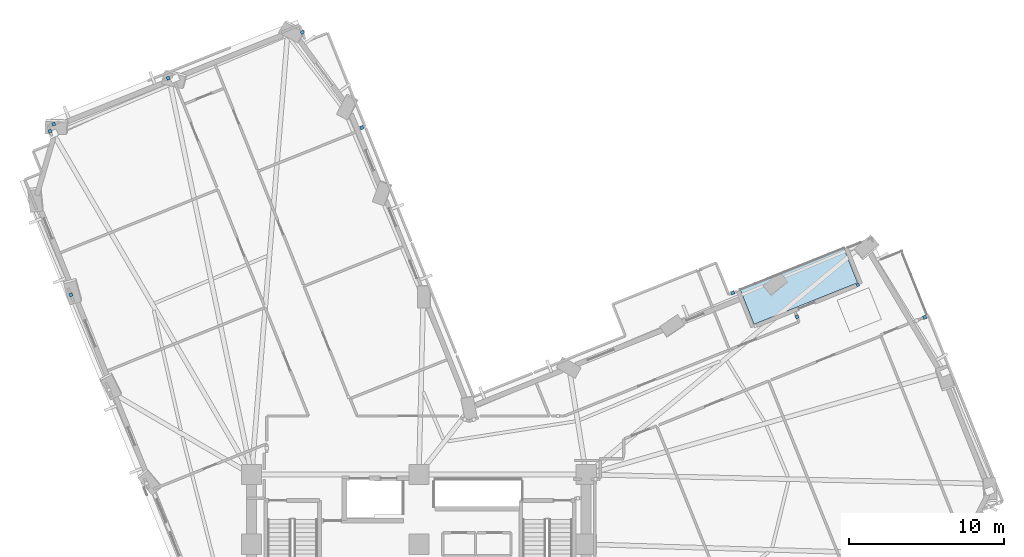
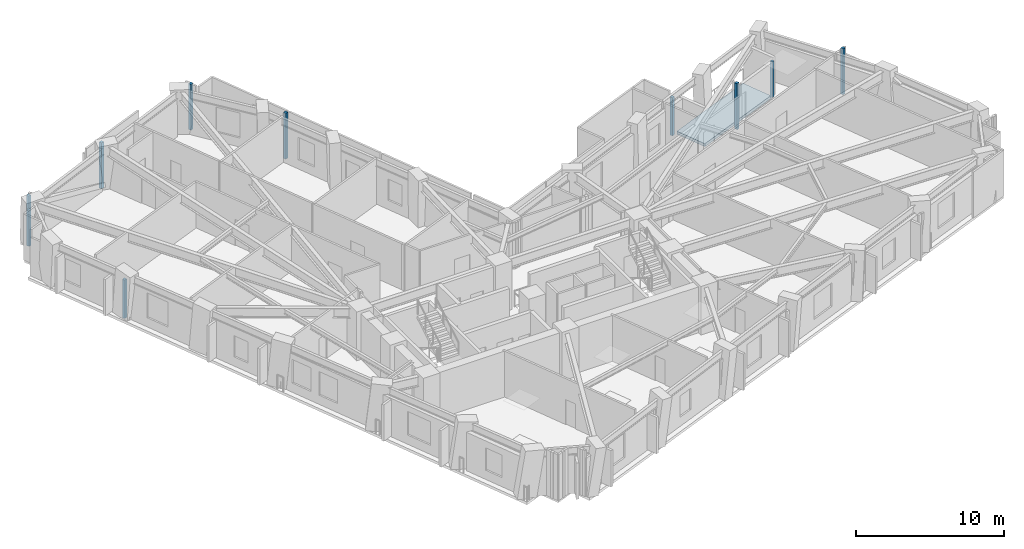
# One storey, part 6 of 16: 10 plates, 1 slab.
"""IFC4 building model written with IfcOpenShell, lengths in metres."""

from ifc_helpers import new_model, si_unit, direction, frame, origin, origin_2d, place, context, subcontext, project, spatial, polyline, rectangle, outline, extrude, material, layer, layer_set, type_object, element, save


model = new_model("IFC4")

# Units and contexts
model_context = context("Model", 3, precision=1e-05, world=origin(), true_north=direction((0.0, 1.0)))
body_context = subcontext(model_context, "Body", "Model", "MODEL_VIEW")
ifc_project = project(units=[si_unit("LENGTHUNIT", "METRE"), si_unit("AREAUNIT", "SQUARE_METRE"), si_unit("VOLUMEUNIT", "CUBIC_METRE"), si_unit("PLANEANGLEUNIT", "RADIAN"), si_unit("MASSUNIT", "GRAM", prefix="KILO")], contexts=[model_context])

# Site, building, storey
site_placement = place(None, origin())
site = spatial("IfcSite", under=ifc_project, at=site_placement, CompositionType="ELEMENT")
building_placement = place(site_placement, origin())
building = spatial("IfcBuilding", under=site, at=building_placement, Name="Gaonmaruhae Medical Tower", CompositionType="ELEMENT")
storey_placement = place(building_placement, frame((0.0, 0.0, 116.39990234375)))
storey = spatial("IfcBuildingStorey", under=building, at=storey_placement, Name="L27", CompositionType="ELEMENT", Elevation=116.39990234375)

# Plates
ifc_material_1 = material(Name="Anodised aluminium 6063-T6", Category="aluminium")
ifc_layer_1 = layer(ifc_material_1, 0.011962890625)
ifc_layer_set_1 = layer_set([ifc_layer_1], Name="Anodised aluminium 6063-T6")
plate_type = type_object("IfcPlateType", Name="PP-01 Interior Partition Corner Stiffener Plate", PredefinedType="SHEET", material=ifc_layer_set_1)
plate_1_placement = place(storey_placement, frame((53.13720703125, 29.03564453125, 0.0), z_axis=(0.0, 0.0, 1.0), x_axis=(0.928161393808, 0.372177950778, 0.0)))
element("IfcPlate", 1, at=plate_1_placement, inside=storey, type_object=plate_type, Name="L27 Partition End Jamb Post Plate PLT-L27-ENDP-TERB-1", PredefinedType="SHEET", context=body_context, shape_type="SweptSolid", body=[
    extrude(rectangle(XDim=0.179931640625, YDim=0.179931640625, at=origin_2d()), origin(), (0.0, 0.0, 1.0), 2.945068359375),
])
plate_2_placement = place(storey_placement, frame((2.33642578125, 28.39404296875, 0.0), z_axis=(0.0, 0.0, 1.0), x_axis=(-0.371562289021, 0.92840802742, 0.0)))
element("IfcPlate", 2, at=plate_2_placement, inside=storey, type_object=plate_type, Name="L27 Partition Corner Stiffener Plate PLT-L27-JGP-PW055", PredefinedType="SHEET", context=body_context, shape_type="SweptSolid", body=[
    extrude(rectangle(XDim=0.219970703125, YDim=0.219970703125, at=origin_2d()), origin(), (0.0, 0.0, 1.0), 3.1650390625),
])
plate_3_placement = place(storey_placement, frame((0.986083984375, 38.96337890625, 0.0), z_axis=(0.0, 0.0, 1.0), x_axis=(-0.372420930105, 0.928063926041, 0.0)))
element("IfcPlate", 3, at=plate_3_placement, inside=storey, type_object=plate_type, Name="L27 Partition Corner Stiffener Plate PLT-L27-JGP-PW057", PredefinedType="SHEET", context=body_context, shape_type="SweptSolid", body=[
    extrude(rectangle(XDim=0.219970703125, YDim=0.219970703125, at=origin_2d()), origin(), (0.0, 0.0, 1.0), 2.965087890625),
])
for number, where, z_axis, x_axis, name in (
    (4, (1.22900390625, 39.422607421875, 0.0), (0.0, 0.0, 1.0), (0.928213350605, 0.372048351372, 0.0), "L27 Partition Corner Stiffener Plate PLT-L27-JGP-PW058"),
    (5, (8.616943359375, 42.385009765625, 0.0), (0.0, 0.0, 1.0), (0.928239322218, 0.371983548949, 0.0), "L27 Partition Corner Stiffener Plate PLT-L27-JGP-PW059"),
    (6, (49.21044921875, 26.97900390625, 0.0), (0.0, 0.0, 1.0), (0.373101136375, -0.92779067792, 0.0), "L27 Partition Corner Stiffener Plate PLT-L27-JGP-PW080"),
):
    element("IfcPlate", number, at=place(storey_placement, frame(where, z_axis=z_axis, x_axis=x_axis)), inside=storey, type_object=plate_type, Name=name, PredefinedType="SHEET", context=body_context, shape_type="SweptSolid", body=[
        extrude(rectangle(XDim=0.219970703125, YDim=0.219970703125, at=origin_2d()), origin(), (0.0, 0.0, 1.0), 3.780029296875),
    ])
plate_4_placement = place(storey_placement, frame((45.06103515625, 28.533935546875, 0.0), z_axis=(0.0, 0.0, 1.0), x_axis=(0.928226336977, 0.372015950387, 0.0)))
element("IfcPlate", 7, at=plate_4_placement, inside=storey, type_object=plate_type, Name="L27 Partition Corner Stiffener Plate PLT-L27-JGP-PW084", PredefinedType="SHEET", context=body_context, shape_type="SweptSolid", body=[
    extrude(rectangle(XDim=0.219970703125, YDim=0.219970703125, at=origin_2d()), origin(), (0.0, 0.0, 1.0), 3.14501953125),
])
for number, where, z_axis, x_axis, name in (
    (8, (21.114501953125, 39.19140625, 0.0), (0.0, 0.0, 1.0), (-0.929042197622, -0.36997377615, 0.0), "L27 Partition Corner Stiffener Plate PLT-L27-JGP-PW092"),
    (9, (17.284912109375, 45.3359375, 0.0), (0.0, 0.0, 1.0), (0.371384040628, -0.928479345148, 0.0), "L27 Partition Corner Stiffener Plate PLT-L27-JGP-PW095"),
    (10, (57.452392578125, 26.951904296875, 0.0), (0.0, 0.0, 1.0), (0.927946880759, 0.372712471604, 0.0), "L27 Partition Corner Stiffener Plate PLT-L27-JGP-PW109"),
):
    element("IfcPlate", number, at=place(storey_placement, frame(where, z_axis=z_axis, x_axis=x_axis)), inside=storey, type_object=plate_type, Name=name, PredefinedType="SHEET", context=body_context, shape_type="SweptSolid", body=[
        extrude(rectangle(XDim=0.219970703125, YDim=0.219970703125, at=origin_2d()), origin(), (0.0, 0.0, 1.0), 3.780029296875),
    ])

# Slab
ifc_material_2 = material(Name="Concrete C40/50", Category="concrete")
ifc_layer_2 = layer(ifc_material_2, 0.239990234375)
ifc_layer_set_2 = layer_set([ifc_layer_2], Name="Concrete C40/50")
slab_type = type_object("IfcSlabType", Name="TS-240 Sky Garden & Recovery Terrace Slab", PredefinedType="FLOOR", material=ifc_layer_set_2)
slab_placement = place(storey_placement, frame((0.0, 0.0, -0.239990234375)))
element("IfcSlab", 11, at=slab_placement, inside=storey, type_object=slab_type, Name="L27 Outdoor Recovery Terrace Slab", PredefinedType="FLOOR", context=body_context, shape_type="SweptSolid", body=[
    extrude(outline(polyline([(46.439453125, 26.500732421875), (53.1220703125, 29.180419921875), (52.22900390625, 31.407958984375), (45.546142578125, 28.728271484375), (46.439453125, 26.500732421875)])), origin(), (0.0, 0.0, 1.0), 0.239990234375),
])

save(model, "model.ifc")
